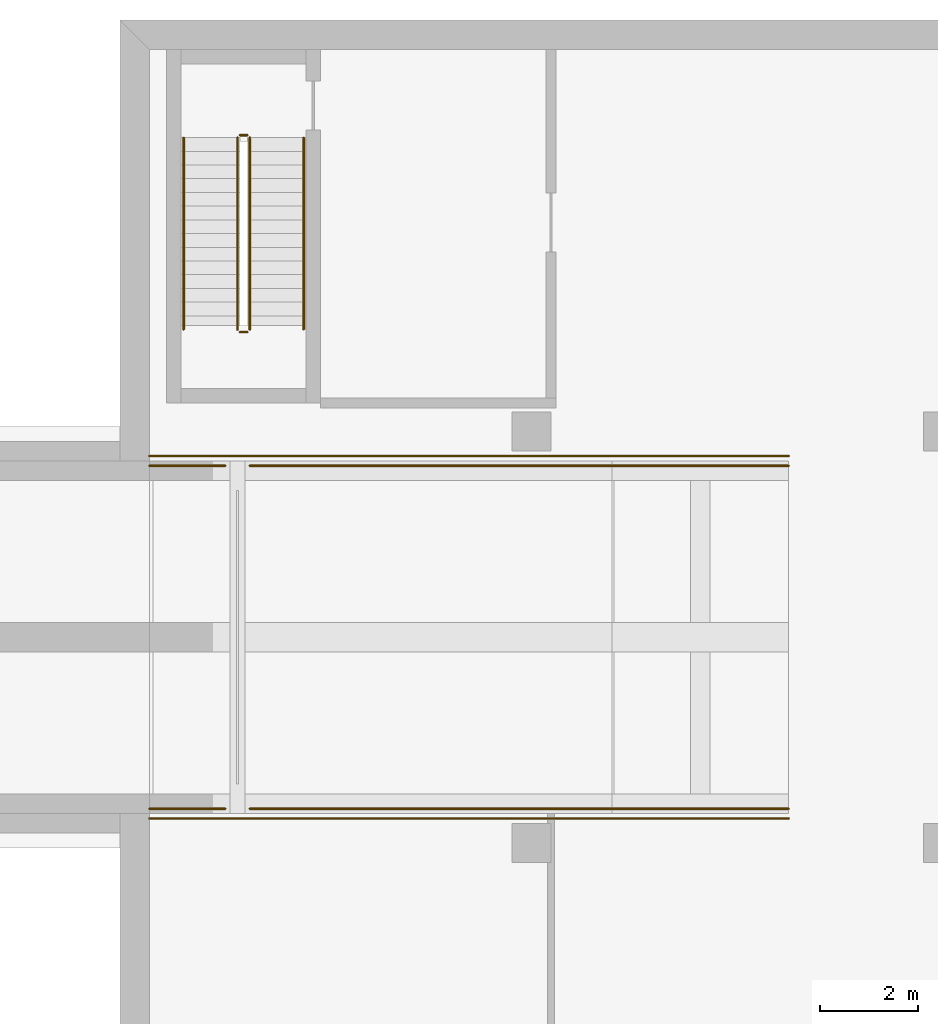
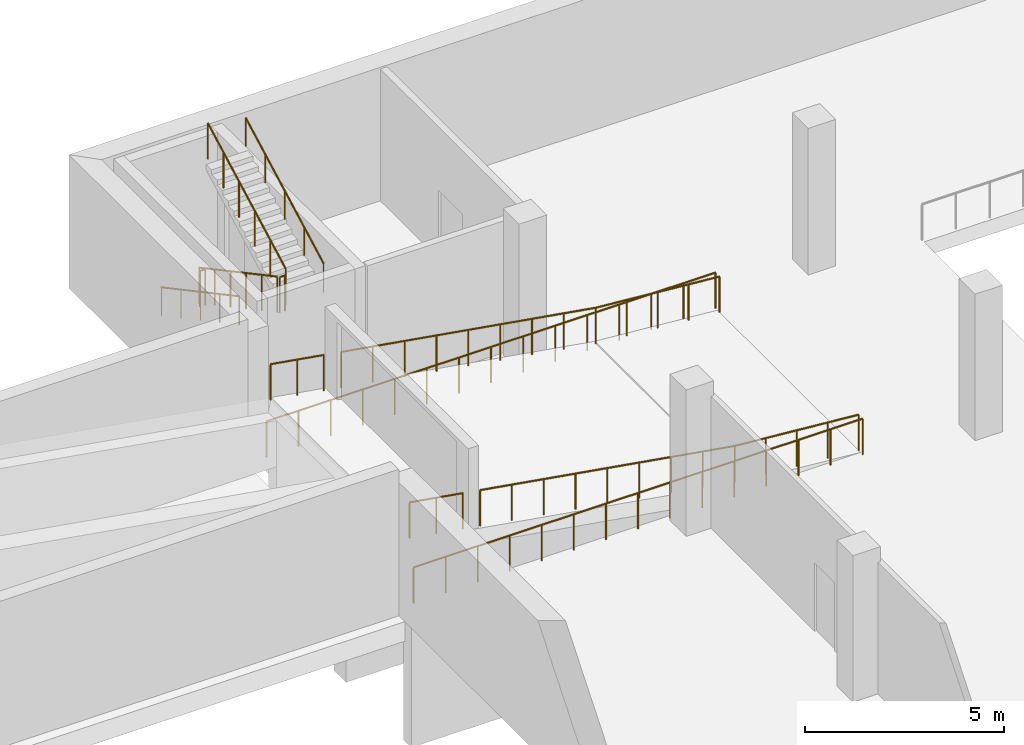
# One storey, part 18 of 21: 12 railings.
"""IFC4 building model written with IfcOpenShell, lengths in metres."""

import ifcopenshell
import ifcopenshell.guid

model = None  # the IFC model being written
_history = None  # IfcOwnerHistory: only IFC2X3 demands one
_inside = {}  # id of a spatial element -> (the spatial element, [elements in it])
_under = {}  # id of a project, library or spatial element -> (it, [spatial elements below it])
_declared = {}  # id of a project -> (the project, [libraries it declares])
_typed = {}  # id of a type object -> (the type object, [elements of that type])
_made_of = {}  # id of a material, layer set ... -> (it, [elements and type objects made of it])


def new_model(schema):
    """Start an empty IFC model of exactly this schema.

    Asked for "IFC4X3", IfcOpenShell would pick the latest addendum, in which some entities
    have other attributes; the version numbers below select the first issue.
    IFC2X3 requires an IfcOwnerHistory on every rooted entity: one is made here for all.
    """
    global model, _history
    if schema == "IFC4X3":
        model = ifcopenshell.file(schema_version=(4, 3, 0, 0))
    else:
        model = ifcopenshell.file(schema=schema)
    _inside.clear()
    _under.clear()
    _declared.clear()
    _typed.clear()
    _made_of.clear()
    _history = None
    if model.schema == "IFC2X3":
        org = make("IfcOrganization", Name="unknown")
        user = make(
            "IfcPersonAndOrganization",
            ThePerson=make("IfcPerson", FamilyName="unknown"),
            TheOrganization=org,
        )
        app = make(
            "IfcApplication",
            ApplicationDeveloper=org,
            Version="unknown",
            ApplicationFullName="unknown",
            ApplicationIdentifier="unknown",
        )
        _history = make(
            "IfcOwnerHistory",
            OwningUser=user,
            OwningApplication=app,
            ChangeAction="ADDED",
            CreationDate=0,
        )
    return model


def make(cls, **values):
    """One entity of the class cls with the attributes given. An attribute that is None is left unset."""
    return model.create_entity(
        cls, **{name: value for name, value in values.items() if value is not None}
    )


def rooted(cls, **values):
    """An entity with a GlobalId (a new one), such as an element, a storey or a relation."""
    return make(cls, GlobalId=ifcopenshell.guid.new(), OwnerHistory=_history, **values)


def si_unit(unit_type, name, prefix=None):
    """IfcSIUnit, for example si_unit("LENGTHUNIT", "METRE", prefix="MILLI")."""
    return make("IfcSIUnit", UnitType=unit_type, Prefix=prefix, Name=name)


def assignment(units):
    """IfcUnitAssignment: the units of a project."""
    return None if units is None else make("IfcUnitAssignment", Units=units)


def point(xyz):
    """IfcCartesianPoint."""
    return None if xyz is None else make("IfcCartesianPoint", Coordinates=xyz)


def direction(xyz):
    """IfcDirection."""
    return None if xyz is None else make("IfcDirection", DirectionRatios=xyz)


def frame(location, z_axis=None, x_axis=None):
    """IfcAxis2Placement3D, a coordinate frame: its origin and axes. An axis left out is left unset."""
    return make(
        "IfcAxis2Placement3D",
        Location=point(location),
        Axis=direction(z_axis),
        RefDirection=direction(x_axis),
    )


def frame_2d(location, x_axis=None):
    """IfcAxis2Placement2D, a coordinate frame in the plane: its origin and x axis."""
    return make(
        "IfcAxis2Placement2D", Location=point(location), RefDirection=direction(x_axis)
    )


def origin():
    """The frame at (0, 0, 0) with its axes left unset."""
    return frame((0.0, 0.0, 0.0))


def origin_2d():
    """The frame at (0, 0) in the plane with its x axis left unset."""
    return frame_2d((0.0, 0.0))


def place(relative_to, where):
    """IfcLocalPlacement: puts the frame where relative to a parent placement (None: the world)."""
    return make(
        "IfcLocalPlacement", PlacementRelTo=relative_to, RelativePlacement=where
    )


def context(
    kind, dimensions, precision=None, world=None, true_north=None, identifier=None
):
    """IfcGeometricRepresentationContext, for example the 3D "Model" context."""
    return make(
        "IfcGeometricRepresentationContext",
        ContextIdentifier=identifier,
        ContextType=kind,
        CoordinateSpaceDimension=dimensions,
        Precision=precision,
        WorldCoordinateSystem=world,
        TrueNorth=true_north,
    )


def subcontext(parent, identifier, kind, view, scale=None):
    """IfcGeometricRepresentationSubContext, for example "Body" below "Model"."""
    return make(
        "IfcGeometricRepresentationSubContext",
        ContextIdentifier=identifier,
        ContextType=kind,
        ParentContext=parent,
        TargetScale=scale,
        TargetView=view,
    )


def project(units=None, contexts=None):
    """IfcProject with its units and contexts."""
    return rooted(
        "IfcProject",
        Name="project",
        RepresentationContexts=contexts,
        UnitsInContext=assignment(units),
    )


def spatial(cls, under=None, at=None, **own):
    """A site, building, storey or space (cls), placed at a placement, below another one or the project."""
    s = rooted(cls, ObjectPlacement=at, **own)
    if under is not None:
        _under.setdefault(under.id(), (under, []))[1].append(s)
    return s


def profile(cls, at=None, kind="AREA", **sizes):
    """A parametric profile (cls). Its sizes go by their IFC names, for example OverallWidth=200.0."""
    return make(cls, ProfileType=kind, Position=at, **sizes)


def circle(**sizes):
    """IfcCircleProfileDef."""
    return profile("IfcCircleProfileDef", **sizes)


def extrude(swept, where, along, depth):
    """IfcExtrudedAreaSolid: the profile swept, set in the frame where, extruded along a direction by depth."""
    return make(
        "IfcExtrudedAreaSolid",
        SweptArea=swept,
        Position=where,
        ExtrudedDirection=direction(along),
        Depth=depth,
    )


def shape(context_of_items, identifier, shape_type, items):
    """IfcShapeRepresentation: the items that make up one representation, for example the "Body"."""
    return make(
        "IfcShapeRepresentation",
        ContextOfItems=context_of_items,
        RepresentationIdentifier=identifier,
        RepresentationType=shape_type,
        Items=items,
    )


def material(Name=None, Category=None):
    """IfcMaterial."""
    return make("IfcMaterial", Name=Name, Category=Category)


def made_of(thing, what):
    """Note that an element or type object is made of a material, layer set ...; save() writes the relation."""
    if what is not None:
        _made_of.setdefault(what.id(), (what, []))[1].append(thing)
    return thing


def type_object(cls, material=None, **own):
    """A type object (cls), such as IfcWallType, which elements share."""
    return made_of(rooted(cls, **own), material)


def element(
    cls,
    number,
    at=None,
    inside=None,
    cuts=None,
    type_object=None,
    material=None,
    context=None,
    identifier="Body",
    shape_type=None,
    held_by="IfcProductDefinitionShape",
    body=None,
    shapes=None,
    **own,
):
    """One element of the class cls, such as IfcWall. Its Tag is "e" and its number.

    at: its placement. inside: the storey or other place that contains it. cuts: it is an
    opening in that element (IfcRelVoidsElement). A single representation is given by context,
    identifier, shape_type and body (its items); several are given by shapes. held_by: the class
    of the entity that holds the representations. save() writes the other relations.
    """
    e = rooted(cls, Tag="e%d" % number, ObjectPlacement=at, **own)
    if body is not None:
        shapes = [shape(context, identifier, shape_type, body)]
    if shapes is not None:
        e.Representation = make(held_by, Representations=shapes)
    if inside is not None:
        _inside.setdefault(inside.id(), (inside, []))[1].append(e)
    if cuts is not None:
        rooted(
            "IfcRelVoidsElement", RelatingBuildingElement=cuts, RelatedOpeningElement=e
        )
    if type_object is not None:
        _typed.setdefault(type_object.id(), (type_object, []))[1].append(e)
    return made_of(e, material)


def aggregate(whole, parts):
    """IfcRelAggregates: a whole, such as a stair, and the parts it consists of."""
    return rooted("IfcRelAggregates", RelatingObject=whole, RelatedObjects=parts)


def save(model, path):
    """Write the relations noted so far, then the file.

    IfcRelAggregates (storeys below a building ...), IfcRelContainedInSpatialStructure (elements
    in a storey), IfcRelDefinesByType, IfcRelAssociatesMaterial and IfcRelDeclares: one each for
    every whole, place, type object, material and project.
    """
    for whole, parts in _under.values():
        aggregate(whole, parts)
    for where, things in _inside.values():
        rooted(
            "IfcRelContainedInSpatialStructure",
            RelatedElements=things,
            RelatingStructure=where,
        )
    for kind, things in _typed.values():
        rooted("IfcRelDefinesByType", RelatedObjects=things, RelatingType=kind)
    for what, things in _made_of.values():
        rooted("IfcRelAssociatesMaterial", RelatedObjects=things, RelatingMaterial=what)
    for by, libraries in _declared.values():
        rooted("IfcRelDeclares", RelatingContext=by, RelatedDefinitions=libraries)
    model.write(path)


model = new_model("IFC4")

# Units and contexts
model_context = context("Model", 3, precision=1e-05, world=origin(), true_north=direction((0.0, 1.0)))
body_context = subcontext(model_context, "Body", "Model", "MODEL_VIEW")
ifc_project = project(units=[si_unit("LENGTHUNIT", "METRE"), si_unit("AREAUNIT", "SQUARE_METRE"), si_unit("VOLUMEUNIT", "CUBIC_METRE"), si_unit("PLANEANGLEUNIT", "RADIAN"), si_unit("MASSUNIT", "GRAM", prefix="KILO")], contexts=[model_context])

# Site, building, storey
site_placement = place(None, origin())
site = spatial("IfcSite", under=ifc_project, at=site_placement, CompositionType="ELEMENT")
building_placement = place(site_placement, origin())
building = spatial("IfcBuilding", under=site, at=building_placement, Name="Trine Commons Tower", CompositionType="ELEMENT")
storey_placement = place(building_placement, frame((0.0, 0.0, -4.5)))
storey = spatial("IfcBuildingStorey", under=building, at=storey_placement, Name="B1", CompositionType="ELEMENT", Elevation=-4.5)

# Railings
ifc_material = material(Name="Structural steel ASTM A500 Gr C", Category="steel")
railing_type_1 = type_object("IfcRailingType", Name="Steel guard 1120 mm, ASTM A500 Gr C", PredefinedType="GUARDRAIL", material=ifc_material)
for number, where, name in (
    (1, (21.800048828125, 88.39990234375, 1.875), "Ramp R1 guard W1"),
    (2, (21.800048828125, 95.39990234375, 1.875), "Ramp R1 guard E1"),
):
    element("IfcRailing", number, at=place(storey_placement, frame(where)), inside=storey, type_object=railing_type_1, Name=name, PredefinedType="GUARDRAIL", context=body_context, shape_type="SweptSolid", body=[
        extrude(circle(Radius=0.02392578125, at=origin_2d()), frame((0.0, 0.0, 1.09619140625), z_axis=(0.986398122504, 0.0, -0.164373793292), x_axis=(0.0, 1.0, 0.0)), (0.0, 0.0, 1.0), 1.571533203125),
        extrude(circle(Radius=0.02099609375, at=origin_2d()), origin(), (0.0, 0.0, 1.0), 1.072021484375),
        extrude(circle(Radius=0.02099609375, at=origin_2d()), frame((0.77490234375, 0.0, -0.129150390625)), (0.0, 0.0, 1.0), 1.072021484375),
        extrude(circle(Radius=0.02099609375, at=origin_2d()), frame((1.550048828125, 0.0, -0.25830078125)), (0.0, 0.0, 1.0), 1.072021484375),
    ])
railing_1_placement = place(storey_placement, frame((23.85009765625, 88.39990234375, 1.533203125)))
element("IfcRailing", 3, at=railing_1_placement, inside=storey, type_object=railing_type_1, Name="Ramp R1 guard W2", PredefinedType="GUARDRAIL", context=body_context, shape_type="SweptSolid", body=[
    extrude(circle(Radius=0.02392578125, at=origin_2d()), frame((0.0, 0.0, 1.09619140625), z_axis=(0.986397441837, 0.0, -0.164377877886), x_axis=(0.0, 1.0, 0.0)), (0.0, 0.0, 1.0), 7.501953125),
    extrude(circle(Radius=0.02392578125, at=origin_2d()), frame((7.39990234375, 0.0, -0.13720703125), z_axis=(0.996544826035, 0.0, -0.083056665618), x_axis=(0.0, 1.0, 0.0)), (0.0, 0.0, 1.0), 3.612548828125),
    extrude(circle(Radius=0.02099609375, at=origin_2d()), origin(), (0.0, 0.0, 1.0), 1.072021484375),
    extrude(circle(Radius=0.02099609375, at=origin_2d()), frame((0.925048828125, 0.0, -0.154052734375)), (0.0, 0.0, 1.0), 1.072021484375),
    extrude(circle(Radius=0.02099609375, at=origin_2d()), frame((1.85009765625, 0.0, -0.308349609375)), (0.0, 0.0, 1.0), 1.072021484375),
    extrude(circle(Radius=0.02099609375, at=origin_2d()), frame((2.77490234375, 0.0, -0.46240234375)), (0.0, 0.0, 1.0), 1.072021484375),
    extrude(circle(Radius=0.02099609375, at=origin_2d()), frame((3.699951171875, 0.0, -0.61669921875)), (0.0, 0.0, 1.0), 1.072021484375),
    extrude(circle(Radius=0.02099609375, at=origin_2d()), frame((4.625, 0.0, -0.770751953125)), (0.0, 0.0, 1.0), 1.072021484375),
    extrude(circle(Radius=0.02099609375, at=origin_2d()), frame((5.5498046875, 0.0, -0.9248046875)), (0.0, 0.0, 1.0), 1.072021484375),
    extrude(circle(Radius=0.02099609375, at=origin_2d()), frame((6.474853515625, 0.0, -1.0791015625)), (0.0, 0.0, 1.0), 1.072021484375),
    extrude(circle(Radius=0.02099609375, at=origin_2d()), frame((7.39990234375, 0.0, -1.233154296875)), (0.0, 0.0, 1.0), 1.072021484375),
    extrude(circle(Radius=0.02099609375, at=origin_2d()), frame((8.2998046875, 0.0, -1.30810546875)), (0.0, 0.0, 1.0), 1.072021484375),
    extrude(circle(Radius=0.02099609375, at=origin_2d()), frame((9.199951171875, 0.0, -1.38330078125)), (0.0, 0.0, 1.0), 1.072021484375),
    extrude(circle(Radius=0.02099609375, at=origin_2d()), frame((10.10009765625, 0.0, -1.458251953125)), (0.0, 0.0, 1.0), 1.072021484375),
    extrude(circle(Radius=0.02099609375, at=origin_2d()), frame((11.0, 0.0, -1.533203125)), (0.0, 0.0, 1.0), 1.072021484375),
])
railing_2_placement = place(storey_placement, frame((23.85009765625, 95.39990234375, 1.533203125)))
element("IfcRailing", 4, at=railing_2_placement, inside=storey, type_object=railing_type_1, Name="Ramp R1 guard E2", PredefinedType="GUARDRAIL", context=body_context, shape_type="SweptSolid", body=[
    extrude(circle(Radius=0.02392578125, at=origin_2d()), frame((0.0, 0.0, 1.09619140625), z_axis=(0.986397441837, 0.0, -0.164377877886), x_axis=(0.0, 1.0, 0.0)), (0.0, 0.0, 1.0), 7.501953125),
    extrude(circle(Radius=0.02392578125, at=origin_2d()), frame((7.39990234375, 0.0, -0.13720703125), z_axis=(0.996544826035, 0.0, -0.083056665618), x_axis=(0.0, 1.0, 0.0)), (0.0, 0.0, 1.0), 3.612548828125),
    extrude(circle(Radius=0.02099609375, at=origin_2d()), origin(), (0.0, 0.0, 1.0), 1.072021484375),
    extrude(circle(Radius=0.02099609375, at=origin_2d()), frame((0.925048828125, 0.0, -0.154052734375)), (0.0, 0.0, 1.0), 1.072021484375),
    extrude(circle(Radius=0.02099609375, at=origin_2d()), frame((1.85009765625, 0.0, -0.308349609375)), (0.0, 0.0, 1.0), 1.072021484375),
    extrude(circle(Radius=0.02099609375, at=origin_2d()), frame((2.77490234375, 0.0, -0.46240234375)), (0.0, 0.0, 1.0), 1.072021484375),
    extrude(circle(Radius=0.02099609375, at=origin_2d()), frame((3.699951171875, 0.0, -0.61669921875)), (0.0, 0.0, 1.0), 1.072021484375),
    extrude(circle(Radius=0.02099609375, at=origin_2d()), frame((4.625, 0.0, -0.770751953125)), (0.0, 0.0, 1.0), 1.072021484375),
    extrude(circle(Radius=0.02099609375, at=origin_2d()), frame((5.5498046875, 0.0, -0.9248046875)), (0.0, 0.0, 1.0), 1.072021484375),
    extrude(circle(Radius=0.02099609375, at=origin_2d()), frame((6.474853515625, 0.0, -1.0791015625)), (0.0, 0.0, 1.0), 1.072021484375),
    extrude(circle(Radius=0.02099609375, at=origin_2d()), frame((7.39990234375, 0.0, -1.233154296875)), (0.0, 0.0, 1.0), 1.072021484375),
    extrude(circle(Radius=0.02099609375, at=origin_2d()), frame((8.2998046875, 0.0, -1.30810546875)), (0.0, 0.0, 1.0), 1.072021484375),
    extrude(circle(Radius=0.02099609375, at=origin_2d()), frame((9.199951171875, 0.0, -1.38330078125)), (0.0, 0.0, 1.0), 1.072021484375),
    extrude(circle(Radius=0.02099609375, at=origin_2d()), frame((10.10009765625, 0.0, -1.458251953125)), (0.0, 0.0, 1.0), 1.072021484375),
    extrude(circle(Radius=0.02099609375, at=origin_2d()), frame((11.0, 0.0, -1.533203125)), (0.0, 0.0, 1.0), 1.072021484375),
])
railing_3_placement = place(storey_placement, frame((21.800048828125, 88.199951171875, 0.0)))
element("IfcRailing", 5, at=railing_3_placement, inside=storey, type_object=railing_type_1, Name="B1 floor edge guard beside ramp R1 W", PredefinedType="GUARDRAIL", context=body_context, shape_type="SweptSolid", body=[
    extrude(circle(Radius=0.02392578125, at=origin_2d()), frame((0.0, 0.0, 1.09619140625), z_axis=(1.0, 0.0, 0.0), x_axis=(0.0, 1.0, 0.0)), (0.0, 0.0, 1.0), 13.050048828125),
    extrude(circle(Radius=0.02099609375, at=origin_2d()), origin(), (0.0, 0.0, 1.0), 1.072021484375),
    extrude(circle(Radius=0.02099609375, at=origin_2d()), frame((0.93212890625, 0.0, 0.0)), (0.0, 0.0, 1.0), 1.072021484375),
    extrude(circle(Radius=0.02099609375, at=origin_2d()), frame((1.8642578125, 0.0, 0.0)), (0.0, 0.0, 1.0), 1.072021484375),
    extrude(circle(Radius=0.02099609375, at=origin_2d()), frame((2.79638671875, 0.0, 0.0)), (0.0, 0.0, 1.0), 1.072021484375),
    extrude(circle(Radius=0.02099609375, at=origin_2d()), frame((3.728515625, 0.0, 0.0)), (0.0, 0.0, 1.0), 1.072021484375),
    extrude(circle(Radius=0.02099609375, at=origin_2d()), frame((4.66064453125, 0.0, 0.0)), (0.0, 0.0, 1.0), 1.072021484375),
    extrude(circle(Radius=0.02099609375, at=origin_2d()), frame((5.5927734375, 0.0, 0.0)), (0.0, 0.0, 1.0), 1.072021484375),
    extrude(circle(Radius=0.02099609375, at=origin_2d()), frame((6.52490234375, 0.0, 0.0)), (0.0, 0.0, 1.0), 1.072021484375),
    extrude(circle(Radius=0.02099609375, at=origin_2d()), frame((7.457275390625, 0.0, 0.0)), (0.0, 0.0, 1.0), 1.072021484375),
    extrude(circle(Radius=0.02099609375, at=origin_2d()), frame((8.389404296875, 0.0, 0.0)), (0.0, 0.0, 1.0), 1.072021484375),
    extrude(circle(Radius=0.02099609375, at=origin_2d()), frame((9.321533203125, 0.0, 0.0)), (0.0, 0.0, 1.0), 1.072021484375),
    extrude(circle(Radius=0.02099609375, at=origin_2d()), frame((10.253662109375, 0.0, 0.0)), (0.0, 0.0, 1.0), 1.072021484375),
    extrude(circle(Radius=0.02099609375, at=origin_2d()), frame((11.185791015625, 0.0, 0.0)), (0.0, 0.0, 1.0), 1.072021484375),
    extrude(circle(Radius=0.02099609375, at=origin_2d()), frame((12.117919921875, 0.0, 0.0)), (0.0, 0.0, 1.0), 1.072021484375),
    extrude(circle(Radius=0.02099609375, at=origin_2d()), frame((13.050048828125, 0.0, 0.0)), (0.0, 0.0, 1.0), 1.072021484375),
])
railing_4_placement = place(storey_placement, frame((21.800048828125, 95.60009765625, 0.0)))
element("IfcRailing", 6, at=railing_4_placement, inside=storey, type_object=railing_type_1, Name="B1 floor edge guard beside ramp R1 E", PredefinedType="GUARDRAIL", context=body_context, shape_type="SweptSolid", body=[
    extrude(circle(Radius=0.02392578125, at=origin_2d()), frame((0.0, 0.0, 1.09619140625), z_axis=(1.0, 0.0, 0.0), x_axis=(0.0, 1.0, 0.0)), (0.0, 0.0, 1.0), 13.050048828125),
    extrude(circle(Radius=0.02099609375, at=origin_2d()), origin(), (0.0, 0.0, 1.0), 1.072021484375),
    extrude(circle(Radius=0.02099609375, at=origin_2d()), frame((0.93212890625, 0.0, 0.0)), (0.0, 0.0, 1.0), 1.072021484375),
    extrude(circle(Radius=0.02099609375, at=origin_2d()), frame((1.8642578125, 0.0, 0.0)), (0.0, 0.0, 1.0), 1.072021484375),
    extrude(circle(Radius=0.02099609375, at=origin_2d()), frame((2.79638671875, 0.0, 0.0)), (0.0, 0.0, 1.0), 1.072021484375),
    extrude(circle(Radius=0.02099609375, at=origin_2d()), frame((3.728515625, 0.0, 0.0)), (0.0, 0.0, 1.0), 1.072021484375),
    extrude(circle(Radius=0.02099609375, at=origin_2d()), frame((4.66064453125, 0.0, 0.0)), (0.0, 0.0, 1.0), 1.072021484375),
    extrude(circle(Radius=0.02099609375, at=origin_2d()), frame((5.5927734375, 0.0, 0.0)), (0.0, 0.0, 1.0), 1.072021484375),
    extrude(circle(Radius=0.02099609375, at=origin_2d()), frame((6.52490234375, 0.0, 0.0)), (0.0, 0.0, 1.0), 1.072021484375),
    extrude(circle(Radius=0.02099609375, at=origin_2d()), frame((7.457275390625, 0.0, 0.0)), (0.0, 0.0, 1.0), 1.072021484375),
    extrude(circle(Radius=0.02099609375, at=origin_2d()), frame((8.389404296875, 0.0, 0.0)), (0.0, 0.0, 1.0), 1.072021484375),
    extrude(circle(Radius=0.02099609375, at=origin_2d()), frame((9.321533203125, 0.0, 0.0)), (0.0, 0.0, 1.0), 1.072021484375),
    extrude(circle(Radius=0.02099609375, at=origin_2d()), frame((10.253662109375, 0.0, 0.0)), (0.0, 0.0, 1.0), 1.072021484375),
    extrude(circle(Radius=0.02099609375, at=origin_2d()), frame((11.185791015625, 0.0, 0.0)), (0.0, 0.0, 1.0), 1.072021484375),
    extrude(circle(Radius=0.02099609375, at=origin_2d()), frame((12.117919921875, 0.0, 0.0)), (0.0, 0.0, 1.0), 1.072021484375),
    extrude(circle(Radius=0.02099609375, at=origin_2d()), frame((13.050048828125, 0.0, 0.0)), (0.0, 0.0, 1.0), 1.072021484375),
])
railing_5_placement = place(storey_placement, frame((23.60009765625, 102.10009765625, 0.14990234375)))
element("IfcRailing", 7, at=railing_5_placement, inside=storey, type_object=railing_type_1, Name="B1 STB3 stair guard 1", PredefinedType="GUARDRAIL", context=body_context, shape_type="SweptSolid", body=[
    extrude(circle(Radius=0.02392578125, at=origin_2d()), frame((0.0, 0.0, 1.09619140625), z_axis=(0.0, -0.881479153919, 0.472222935917), x_axis=(1.0, 0.0, 0.0)), (0.0, 0.0, 1.0), 4.447265625),
    extrude(circle(Radius=0.02099609375, at=origin_2d()), origin(), (0.0, 0.0, 1.0), 1.072021484375),
    extrude(circle(Radius=0.02099609375, at=origin_2d()), frame((0.0, -0.783935546875, 0.419921875)), (0.0, 0.0, 1.0), 1.072021484375),
    extrude(circle(Radius=0.02099609375, at=origin_2d()), frame((0.0, -1.568115234375, 0.840087890625)), (0.0, 0.0, 1.0), 1.072021484375),
    extrude(circle(Radius=0.02099609375, at=origin_2d()), frame((0.0, -2.35205078125, 1.260009765625)), (0.0, 0.0, 1.0), 1.072021484375),
    extrude(circle(Radius=0.02099609375, at=origin_2d()), frame((0.0, -3.13623046875, 1.68017578125)), (0.0, 0.0, 1.0), 1.072021484375),
    extrude(circle(Radius=0.02099609375, at=origin_2d()), frame((0.0, -3.920166015625, 2.10009765625)), (0.0, 0.0, 1.0), 1.072021484375),
])
railing_6_placement = place(storey_placement, frame((23.64990234375, 98.1298828125, 2.25)))
element("IfcRailing", 8, at=railing_6_placement, inside=storey, type_object=railing_type_1, Name="B1 STB3 stair guard 2", PredefinedType="GUARDRAIL", context=body_context, shape_type="SweptSolid", body=[
    extrude(circle(Radius=0.02392578125, at=origin_2d()), frame((0.0, 0.0, 1.09619140625), z_axis=(1.0, 0.0, 0.0), x_axis=(0.0, 1.0, 0.0)), (0.0, 0.0, 1.0), 0.150146484375),
    extrude(circle(Radius=0.02099609375, at=origin_2d()), origin(), (0.0, 0.0, 1.0), 1.072021484375),
    extrude(circle(Radius=0.02099609375, at=origin_2d()), frame((0.150146484375, 0.0, 0.0)), (0.0, 0.0, 1.0), 1.072021484375),
])
railing_7_placement = place(storey_placement, frame((23.85009765625, 98.179931640625, 2.39990234375)))
element("IfcRailing", 9, at=railing_7_placement, inside=storey, type_object=railing_type_1, Name="B1 STB3 stair guard 3", PredefinedType="GUARDRAIL", context=body_context, shape_type="SweptSolid", body=[
    extrude(circle(Radius=0.02392578125, at=origin_2d()), frame((0.0, 0.0, 1.09619140625), z_axis=(0.0, 0.881479153919, 0.472222935917), x_axis=(-1.0, 0.0, 0.0)), (0.0, 0.0, 1.0), 4.447265625),
    extrude(circle(Radius=0.02099609375, at=origin_2d()), origin(), (0.0, 0.0, 1.0), 1.072021484375),
    extrude(circle(Radius=0.02099609375, at=origin_2d()), frame((0.0, 0.783935546875, 0.419921875)), (0.0, 0.0, 1.0), 1.072021484375),
    extrude(circle(Radius=0.02099609375, at=origin_2d()), frame((0.0, 1.568115234375, 0.840087890625)), (0.0, 0.0, 1.0), 1.072021484375),
    extrude(circle(Radius=0.02099609375, at=origin_2d()), frame((0.0, 2.35205078125, 1.260009765625)), (0.0, 0.0, 1.0), 1.072021484375),
    extrude(circle(Radius=0.02099609375, at=origin_2d()), frame((0.0, 3.13623046875, 1.68017578125)), (0.0, 0.0, 1.0), 1.072021484375),
    extrude(circle(Radius=0.02099609375, at=origin_2d()), frame((0.0, 3.920166015625, 2.10009765625)), (0.0, 0.0, 1.0), 1.072021484375),
])
railing_8_placement = place(storey_placement, frame((23.64990234375, 102.14990234375, 0.0)))
element("IfcRailing", 10, at=railing_8_placement, inside=storey, type_object=railing_type_1, Name="B1 STB3 stair guard 4", PredefinedType="GUARDRAIL", context=body_context, shape_type="SweptSolid", body=[
    extrude(circle(Radius=0.02392578125, at=origin_2d()), frame((0.0, 0.0, 1.09619140625), z_axis=(1.0, 0.0, 0.0), x_axis=(0.0, 1.0, 0.0)), (0.0, 0.0, 1.0), 0.150146484375),
    extrude(circle(Radius=0.02099609375, at=origin_2d()), origin(), (0.0, 0.0, 1.0), 1.072021484375),
    extrude(circle(Radius=0.02099609375, at=origin_2d()), frame((0.150146484375, 0.0, 0.0)), (0.0, 0.0, 1.0), 1.072021484375),
])
railing_type_2 = type_object("IfcRailingType", Name="Steel handrail 900 mm, ASTM A500 Gr C", PredefinedType="HANDRAIL", material=ifc_material)
railing_9_placement = place(storey_placement, frame((22.5, 102.10009765625, 0.14990234375)))
element("IfcRailing", 11, at=railing_9_placement, inside=storey, type_object=railing_type_2, Name="B1 STB3 stair handrail 1", PredefinedType="HANDRAIL", context=body_context, shape_type="SweptSolid", body=[
    extrude(circle(Radius=0.02392578125, at=origin_2d()), frame((0.0, 0.0, 0.8759765625), z_axis=(0.0, -0.881479153919, 0.472222935917), x_axis=(1.0, 0.0, 0.0)), (0.0, 0.0, 1.0), 4.447265625),
    extrude(circle(Radius=0.01513671875, at=origin_2d()), origin(), (0.0, 0.0, 1.0), 0.851806640625),
    extrude(circle(Radius=0.01513671875, at=origin_2d()), frame((0.0, -0.97998046875, 0.52490234375)), (0.0, 0.0, 1.0), 0.851806640625),
    extrude(circle(Radius=0.01513671875, at=origin_2d()), frame((0.0, -1.9599609375, 1.050048828125)), (0.0, 0.0, 1.0), 0.851806640625),
    extrude(circle(Radius=0.01513671875, at=origin_2d()), frame((0.0, -2.940185546875, 1.5751953125)), (0.0, 0.0, 1.0), 0.851806640625),
    extrude(circle(Radius=0.01513671875, at=origin_2d()), frame((0.0, -3.920166015625, 2.10009765625)), (0.0, 0.0, 1.0), 0.851806640625),
])
railing_10_placement = place(storey_placement, frame((24.949951171875, 98.179931640625, 2.39990234375)))
element("IfcRailing", 12, at=railing_10_placement, inside=storey, type_object=railing_type_2, Name="B1 STB3 stair handrail 2", PredefinedType="HANDRAIL", context=body_context, shape_type="SweptSolid", body=[
    extrude(circle(Radius=0.02392578125, at=origin_2d()), frame((0.0, 0.0, 0.8759765625), z_axis=(0.0, 0.881479153919, 0.472222935917), x_axis=(-1.0, 0.0, 0.0)), (0.0, 0.0, 1.0), 4.447265625),
    extrude(circle(Radius=0.01513671875, at=origin_2d()), origin(), (0.0, 0.0, 1.0), 0.851806640625),
    extrude(circle(Radius=0.01513671875, at=origin_2d()), frame((0.0, 0.97998046875, 0.52490234375)), (0.0, 0.0, 1.0), 0.851806640625),
    extrude(circle(Radius=0.01513671875, at=origin_2d()), frame((0.0, 1.9599609375, 1.050048828125)), (0.0, 0.0, 1.0), 0.851806640625),
    extrude(circle(Radius=0.01513671875, at=origin_2d()), frame((0.0, 2.940185546875, 1.5751953125)), (0.0, 0.0, 1.0), 0.851806640625),
    extrude(circle(Radius=0.01513671875, at=origin_2d()), frame((0.0, 3.920166015625, 2.10009765625)), (0.0, 0.0, 1.0), 0.851806640625),
])

save(model, "model.ifc")
